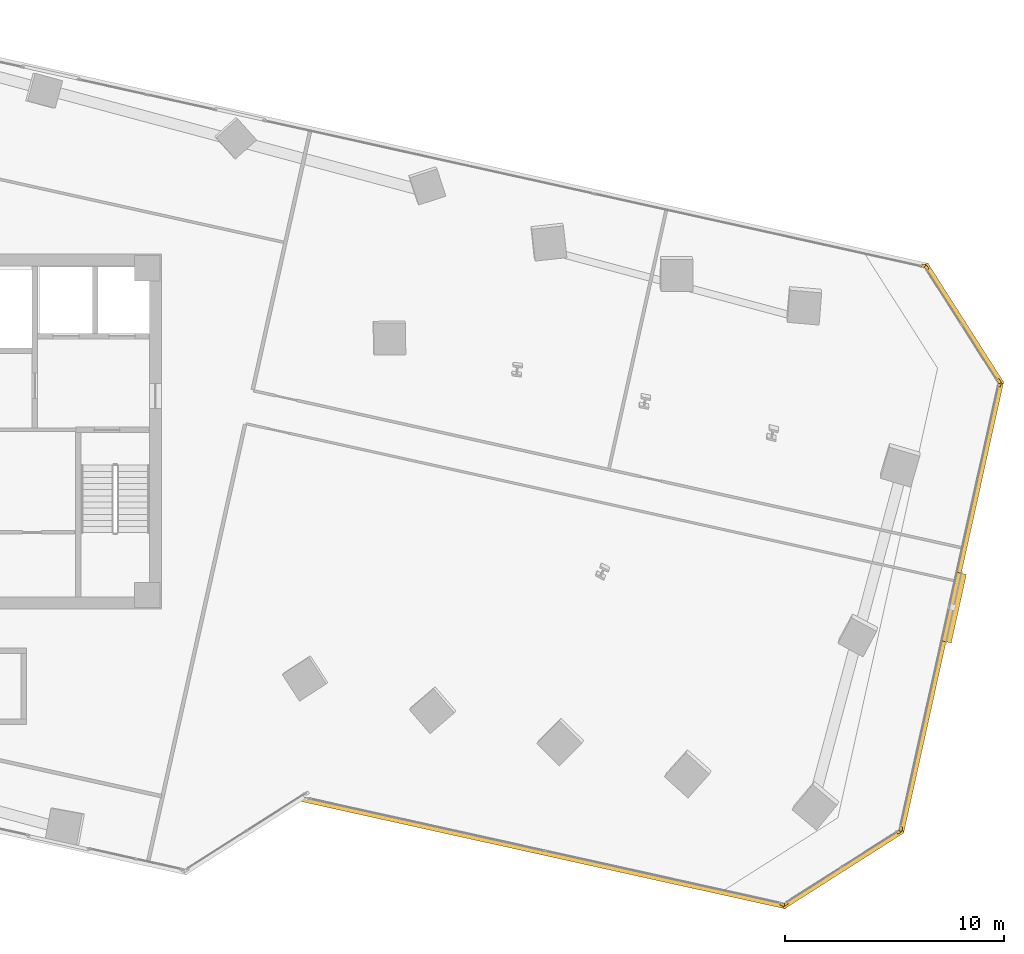
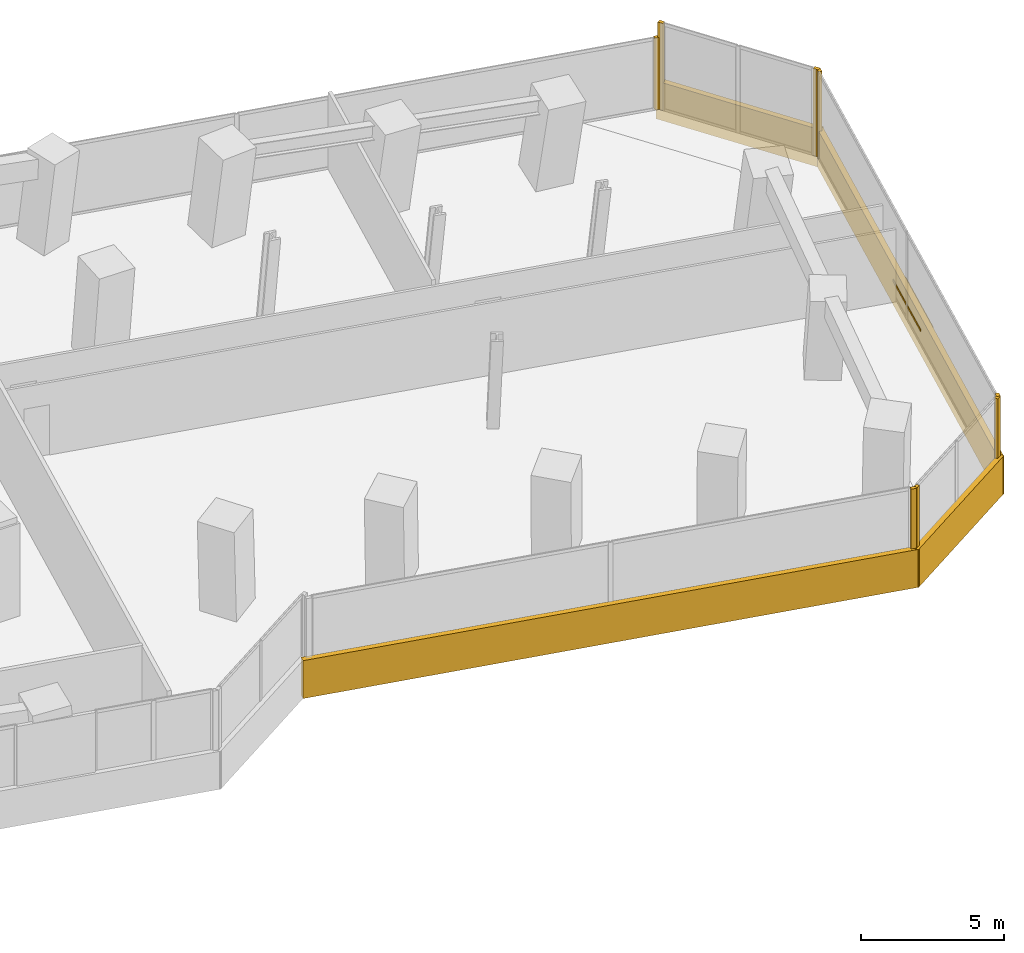
# One storey, part 25 of 26: 12 coverings, 1 shading device.
"""IFC4 building model written with IfcOpenShell, lengths in metres."""

from ifc_helpers import new_model, si_unit, direction, frame, origin, origin_2d, place, context, subcontext, project, spatial, rectangle, extrude, source, transform, mapped, material, layer, layer_set, type_object, element, save


model = new_model("IFC4")

# Units and contexts
model_context = context("Model", 3, precision=1e-05, world=origin(), true_north=direction((0.0, 1.0)))
body_context = subcontext(model_context, "Body", "Model", "MODEL_VIEW")
ifc_project = project(units=[si_unit("LENGTHUNIT", "METRE"), si_unit("AREAUNIT", "SQUARE_METRE"), si_unit("VOLUMEUNIT", "CUBIC_METRE"), si_unit("PLANEANGLEUNIT", "RADIAN"), si_unit("MASSUNIT", "GRAM", prefix="KILO")], contexts=[model_context])

# Site, building, storey
site_placement = place(None, origin())
site = spatial("IfcSite", under=ifc_project, at=site_placement, CompositionType="ELEMENT")
building_placement = place(site_placement, origin())
building = spatial("IfcBuilding", under=site, at=building_placement, Name="Torre Montelarca", CompositionType="ELEMENT")
storey_placement = place(building_placement, frame((0.0, 0.0, 95.800048828125)))
storey = spatial("IfcBuildingStorey", under=building, at=storey_placement, Name="L21", CompositionType="ELEMENT", Elevation=95.800048828125)

# Coverings
ifc_material_1 = material(Name="Bush-hammered warm white precast concrete C45/55", Category="concrete")
ifc_layer_1 = layer(ifc_material_1, 0.139892578125, Name="Bush-hammered warm white precast concrete C45/55", Category="concrete")
ifc_layer_set_1 = layer_set([ifc_layer_1], Name="Bush-hammered warm white precast concrete C45/55")
covering_type = type_object("IfcCoveringType", Name="COV-TRAY-CLAD", PredefinedType="CLADDING", material=ifc_layer_set_1)
shared_shape_1 = source(origin(), body_context, "Body", "SweptSolid", [
    extrude(rectangle(XDim=6.48388671875, YDim=0.219970703125, at=origin_2d()), origin(), (0.0, 0.0, 1.0), 1.6201171875),
])
for number, where, z_axis, x_axis, name in (
    (1, (58.182373046875, 12.05908203125, -0.4501953125), (0.0, 0.0, 1.0), (0.843395196851, 0.537293720351, 0.0), "L21 Architectural White Spandrel Tray Band TRYBOT-05"),
    (2, (63.6923828125, 36.9130859375, -0.4501953125), (0.0, 0.0, 1.0), (-0.537305496317, 0.843387694733, 0.0), "L21 Architectural White Spandrel Tray Band TRYBOT-07"),
):
    element("IfcCovering", number, at=place(storey_placement, frame(where, z_axis=z_axis, x_axis=x_axis)), inside=storey, type_object=covering_type, Name=name, PredefinedType="CLADDING", context=body_context, shape_type="MappedRepresentation", body=[
        mapped(shared_shape_1, transform((0.0, 0.0, 0.0), scale=1.0)),
    ])
shared_shape_2 = source(origin(), body_context, "Body", "SweptSolid", [
    extrude(rectangle(XDim=22.6201171875, YDim=0.219970703125, at=origin_2d()), origin(), (0.0, 0.0, 1.0), 1.6201171875),
])
covering_1_placement = place(storey_placement, frame((44.537841796875, 12.788330078125, -0.4501953125), z_axis=(0.0, 0.0, 1.0), x_axis=(0.976296762631, -0.216436206021, 0.0)))
element("IfcCovering", 3, at=covering_1_placement, inside=storey, type_object=covering_type, Name="L21 Architectural White Spandrel Tray Band TRYBOT-04", PredefinedType="CLADDING", context=body_context, shape_type="MappedRepresentation", body=[
    mapped(shared_shape_2, transform((0.0, 0.0, 0.0), scale=1.0)),
])
shared_shape_3 = source(origin(), body_context, "Body", "SweptSolid", [
    extrude(rectangle(XDim=21.1201171875, YDim=0.219970703125, at=origin_2d()), origin(), (0.0, 0.0, 1.0), 1.6201171875),
])
covering_2_placement = place(storey_placement, frame((63.12548828125, 24.0009765625, -0.4501953125), z_axis=(0.0, 0.0, 1.0), x_axis=(0.21643790998, 0.976296384877, 0.0)))
element("IfcCovering", 4, at=covering_2_placement, inside=storey, type_object=covering_type, Name="L21 Architectural White Spandrel Tray Band TRYBOT-06", PredefinedType="CLADDING", context=body_context, shape_type="MappedRepresentation", body=[
    mapped(shared_shape_3, transform((0.0, 0.0, 0.0), scale=1.0)),
])

# Shading device
ifc_material_2 = material(Name="Anodised champagne bronze aluminium AA 6063-T6", Category="aluminium")
ifc_layer_2 = layer(ifc_material_2, 0.070068359375, Name="Anodised champagne bronze aluminium AA 6063-T6", Category="aluminium")
ifc_layer_set_2 = layer_set([ifc_layer_2], Name="Anodised champagne bronze aluminium AA 6063-T6")
shading_device_type = type_object("IfcShadingDeviceType", Name="SHD-SUNSHADE-1", PredefinedType="USERDEFINED", material=ifc_layer_set_2)
shared_shape_4 = source(origin(), body_context, "Body", "SweptSolid", [
    extrude(rectangle(XDim=3.199951171875, YDim=0.47998046875, at=origin_2d()), origin(), (0.0, 0.0, 1.0), 0.10009765625),
])
shading_device_placement = place(storey_placement, frame((63.23291015625, 23.977294921875, 0.56982421875), z_axis=(0.0, 0.0, 1.0), x_axis=(0.21643790998, 0.976296384877, 0.0)))
element("IfcShadingDevice", 5, at=shading_device_placement, inside=storey, type_object=shading_device_type, Name="L21 Facade Solar Shading Device E6", ObjectType="SUNSHADE", PredefinedType="USERDEFINED", context=body_context, shape_type="MappedRepresentation", body=[
    mapped(shared_shape_4, transform((0.0, 0.0, 0.0), scale=1.0)),
])

# Coverings
shared_shape_5 = source(origin(), body_context, "Body", "SweptSolid", [
    extrude(rectangle(XDim=0.199951171875, YDim=0.139892578125, at=origin_2d()), origin(), (0.0, 0.0, 1.0), 3.719970703125),
])
for number, where, z_axis, x_axis, name in (
    (6, (55.421142578125, 10.43701171875, 0.0), (0.0, 0.0, 1.0), (0.97629751813, -0.216432798101, 0.0), "L21 Architectural Column Pier Cladding E04-2"),
    (7, (55.564208984375, 10.462158203125, 0.0), (0.0, 0.0, 1.0), (0.843389570278, 0.537302552335, 0.0), "L21 Architectural Column Pier Cladding E05-1"),
    (8, (60.736083984375, 13.757080078125, 0.0), (0.0, 0.0, 1.0), (0.843389570278, 0.537302552335, 0.0), "L21 Architectural Column Pier Cladding E05-2"),
    (9, (60.8193359375, 13.8759765625, 0.0), (0.0, 0.0, 1.0), (0.21643790998, 0.976296384877, 0.0), "L21 Architectural Column Pier Cladding E06-1"),
    (10, (65.314208984375, 34.152099609375, 0.0), (0.0, 0.0, 1.0), (0.21643790998, 0.976296384877, 0.0), "L21 Architectural Column Pier Cladding E06-2"),
    (11, (65.289306640625, 34.294921875, 0.0), (0.0, 0.0, 1.0), (-0.537314328223, 0.843382068037, 0.0), "L21 Architectural Column Pier Cladding E07-1"),
    (12, (61.994140625, 39.466796875, 0.0), (0.0, 0.0, 1.0), (-0.537314328223, 0.843382068037, 0.0), "L21 Architectural Column Pier Cladding E07-2"),
):
    element("IfcCovering", number, at=place(storey_placement, frame(where, z_axis=z_axis, x_axis=x_axis)), inside=storey, type_object=covering_type, Name=name, PredefinedType="CLADDING", context=body_context, shape_type="MappedRepresentation", body=[
        mapped(shared_shape_5, transform((0.0, 0.0, 0.0), scale=1.0)),
    ])
shared_shape_6 = source(origin(), body_context, "Body", "SweptSolid", [
    extrude(rectangle(XDim=0.199951171875, YDim=0.139892578125, at=origin_2d()), origin(), (0.0, 0.0, 1.0), 3.074951171875),
])
covering_3_placement = place(storey_placement, frame((61.875244140625, 39.550048828125, 0.0), z_axis=(0.0, 0.0, 1.0), x_axis=(-0.97629600712, 0.216439613938, 0.0)))
element("IfcCovering", 13, at=covering_3_placement, inside=storey, type_object=covering_type, Name="L21 Architectural Column Pier Cladding E08-1", PredefinedType="CLADDING", context=body_context, shape_type="MappedRepresentation", body=[
    mapped(shared_shape_6, transform((0.0, 0.0, 0.0), scale=1.0)),
])

save(model, "model.ifc")
